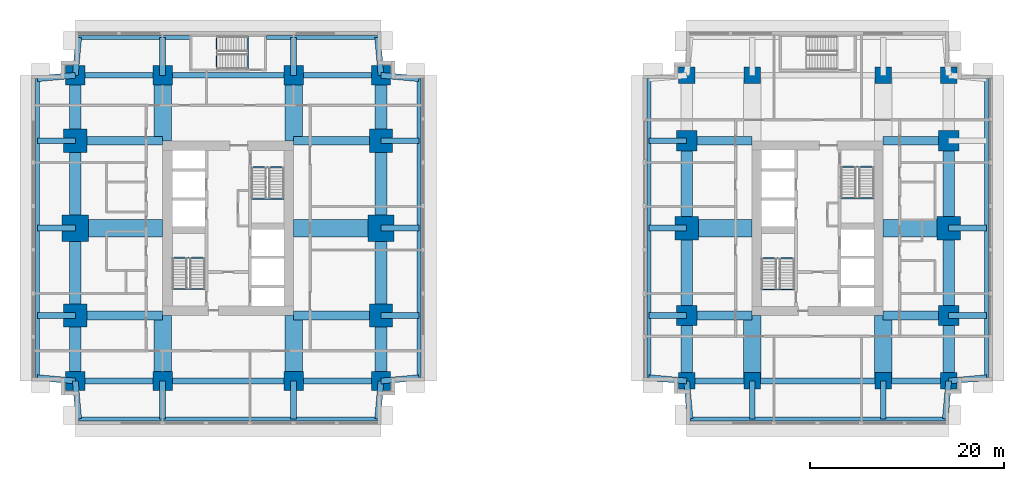
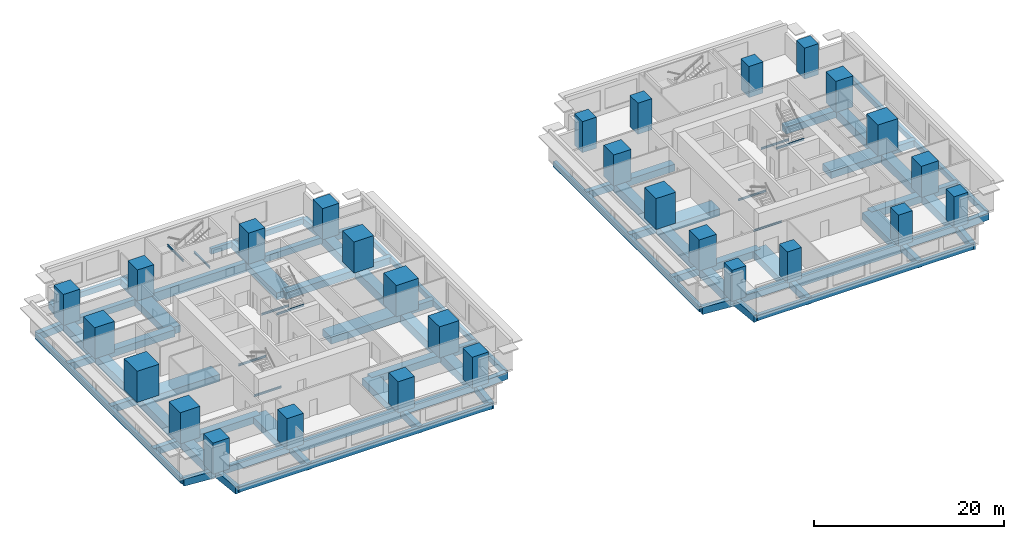
# One storey, part 1 of 11: 88 beams, 28 columns.
"""IFC4 building model written with IfcOpenShell, lengths in metres."""

from ifc_helpers import new_model, si_unit, direction, frame, origin, origin_2d, place, context, subcontext, project, spatial, rectangle, i_section, extrude, material, material_profile, profile_set, type_object, element, save


model = new_model("IFC4")

# Units and contexts
model_context = context("Model", 3, precision=1e-05, world=origin(), true_north=direction((0.0, 1.0)))
body_context = subcontext(model_context, "Body", "Model", "MODEL_VIEW")
ifc_project = project(units=[si_unit("LENGTHUNIT", "METRE"), si_unit("AREAUNIT", "SQUARE_METRE"), si_unit("VOLUMEUNIT", "CUBIC_METRE"), si_unit("PLANEANGLEUNIT", "RADIAN"), si_unit("MASSUNIT", "GRAM", prefix="KILO")], contexts=[model_context])

# Site, building, storey
site_placement = place(None, origin())
site = spatial("IfcSite", under=ifc_project, at=site_placement, CompositionType="ELEMENT")
building_placement = place(site_placement, origin())
building = spatial("IfcBuilding", under=site, at=building_placement, Name="Namib Vertical Campus", CompositionType="ELEMENT")
storey_placement = place(building_placement, frame((0.0, 0.0, 73.0)))
storey = spatial("IfcBuildingStorey", under=building, at=storey_placement, Name="L17", CompositionType="ELEMENT", Elevation=73.0)

# Columns
ifc_material_1 = material(Name="Concrete C60/75", Category="concrete")
ifc_material_profile_1 = material_profile(ifc_material_1, rectangle(XDim=1.699951171875, YDim=1.699951171875, at=origin_2d()))
ifc_profile_set_1 = profile_set([ifc_material_profile_1], Name="Concrete C60/75")
column_type_1 = type_object("IfcColumnType", Name="Column RC 1700x1700", PredefinedType="COLUMN", material=ifc_profile_set_1)
for number, where, z_axis, x_axis, name in (
    (1, (67.5, 4.5, 0.0), (0.0, 0.0, 1.0), (1.0, 0.0, 0.0), "Column C170 L17"),
    (2, (74.25, 4.5, 0.0), (0.0, 0.0, 1.0), (1.0, 0.0, 0.0), "Column C170 L17"),
    (3, (87.75, 4.5, 0.0), (0.0, 0.0, 1.0), (1.0, 0.0, 0.0), "Column C170 L17"),
    (4, (94.5, 4.5, 0.0), (0.0, 0.0, 1.0), (1.0, 0.0, 0.0), "Column C170 L17"),
    (5, (67.5, 36.0, 0.0), (0.0, 0.0, 1.0), (1.0, 0.0, 0.0), "Column C170 L17"),
    (6, (74.25, 36.0, 0.0), (0.0, 0.0, 1.0), (1.0, 0.0, 0.0), "Column C170 L17"),
    (7, (87.75, 36.0, 0.0), (0.0, 0.0, 1.0), (1.0, 0.0, 0.0), "Column C170 L17"),
    (8, (94.5, 36.0, 0.0), (0.0, 0.0, 1.0), (1.0, 0.0, 0.0), "Column C170 L17"),
):
    element("IfcColumn", number, at=place(storey_placement, frame(where, z_axis=z_axis, x_axis=x_axis)), inside=storey, type_object=column_type_1, Name=name, PredefinedType="COLUMN", context=body_context, shape_type="SweptSolid", body=[
        extrude(rectangle(XDim=1.699951171875, YDim=1.699951171875, at=origin_2d()), origin(), (0.0, 0.0, 1.0), 4.0),
    ])
ifc_material_2 = material(Name="Concrete C60/75", Category="concrete")
ifc_material_profile_2 = material_profile(ifc_material_2, rectangle(XDim=2.0, YDim=2.0, at=origin_2d()))
ifc_profile_set_2 = profile_set([ifc_material_profile_2], Name="Concrete C60/75")
column_type_2 = type_object("IfcColumnType", Name="Column RC 2000x2000", PredefinedType="COLUMN", material=ifc_profile_set_2)
for number, where, z_axis, x_axis, name in (
    (9, (4.5, 4.5, 0.0), (0.0, 0.0, 1.0), (1.0, 0.0, 0.0), "Column C200 L17"),
    (10, (13.5, 4.5, 0.0), (0.0, 0.0, 1.0), (1.0, 0.0, 0.0), "Column C200 L17"),
    (11, (27.0, 4.5, 0.0), (0.0, 0.0, 1.0), (1.0, 0.0, 0.0), "Column C200 L17"),
    (12, (36.0, 4.5, 0.0), (0.0, 0.0, 1.0), (1.0, 0.0, 0.0), "Column C200 L17"),
    (13, (4.5, 36.0, 0.0), (0.0, 0.0, 1.0), (1.0, 0.0, 0.0), "Column C200 L17"),
    (14, (13.5, 36.0, 0.0), (0.0, 0.0, 1.0), (1.0, 0.0, 0.0), "Column C200 L17"),
    (15, (27.0, 36.0, 0.0), (0.0, 0.0, 1.0), (1.0, 0.0, 0.0), "Column C200 L17"),
    (16, (36.0, 36.0, 0.0), (0.0, 0.0, 1.0), (1.0, 0.0, 0.0), "Column C200 L17"),
):
    element("IfcColumn", number, at=place(storey_placement, frame(where, z_axis=z_axis, x_axis=x_axis)), inside=storey, type_object=column_type_2, Name=name, PredefinedType="COLUMN", context=body_context, shape_type="SweptSolid", body=[
        extrude(rectangle(XDim=2.0, YDim=2.0, at=origin_2d()), origin(), (0.0, 0.0, 1.0), 4.0),
    ])
ifc_material_3 = material(Name="Concrete C60/75", Category="concrete")
ifc_material_profile_3 = material_profile(ifc_material_3, rectangle(XDim=2.10009765625, YDim=2.10009765625, at=origin_2d()))
ifc_profile_set_3 = profile_set([ifc_material_profile_3], Name="Concrete C60/75")
column_type_3 = type_object("IfcColumnType", Name="Column RC 2100x2100", PredefinedType="COLUMN", material=ifc_profile_set_3)
for number, where, z_axis, x_axis, name in (
    (17, (67.5, 11.25, 0.0), (0.0, 0.0, 1.0), (1.0, 0.0, 0.0), "Column C210 L17"),
    (18, (94.5, 11.25, 0.0), (0.0, 0.0, 1.0), (1.0, 0.0, 0.0), "Column C210 L17"),
    (19, (67.5, 29.25, 0.0), (0.0, 0.0, 1.0), (1.0, 0.0, 0.0), "Column C210 L17"),
    (20, (94.5, 29.25, 0.0), (0.0, 0.0, 1.0), (1.0, 0.0, 0.0), "Column C210 L17"),
):
    element("IfcColumn", number, at=place(storey_placement, frame(where, z_axis=z_axis, x_axis=x_axis)), inside=storey, type_object=column_type_3, Name=name, PredefinedType="COLUMN", context=body_context, shape_type="SweptSolid", body=[
        extrude(rectangle(XDim=2.10009765625, YDim=2.10009765625, at=origin_2d()), origin(), (0.0, 0.0, 1.0), 4.0),
    ])
ifc_material_4 = material(Name="Concrete C60/75", Category="concrete")
ifc_material_profile_4 = material_profile(ifc_material_4, rectangle(XDim=2.39990234375, YDim=2.39990234375, at=origin_2d()))
ifc_profile_set_4 = profile_set([ifc_material_profile_4], Name="Concrete C60/75")
column_type_4 = type_object("IfcColumnType", Name="Column RC 2400x2400", PredefinedType="COLUMN", material=ifc_profile_set_4)
for number, where, z_axis, x_axis, name in (
    (21, (4.5, 11.25, 0.0), (0.0, 0.0, 1.0), (1.0, 0.0, 0.0), "Column C240 L17"),
    (22, (36.0, 11.25, 0.0), (0.0, 0.0, 1.0), (1.0, 0.0, 0.0), "Column C240 L17"),
    (23, (4.5, 29.25, 0.0), (0.0, 0.0, 1.0), (1.0, 0.0, 0.0), "Column C240 L17"),
    (24, (36.0, 29.25, 0.0), (0.0, 0.0, 1.0), (1.0, 0.0, 0.0), "Column C240 L17"),
    (25, (67.5, 20.25, 0.0), (0.0, 0.0, 1.0), (1.0, 0.0, 0.0), "Column C240 L17"),
    (26, (94.5, 20.25, 0.0), (0.0, 0.0, 1.0), (1.0, 0.0, 0.0), "Column C240 L17"),
):
    element("IfcColumn", number, at=place(storey_placement, frame(where, z_axis=z_axis, x_axis=x_axis)), inside=storey, type_object=column_type_4, Name=name, PredefinedType="COLUMN", context=body_context, shape_type="SweptSolid", body=[
        extrude(rectangle(XDim=2.39990234375, YDim=2.39990234375, at=origin_2d()), origin(), (0.0, 0.0, 1.0), 4.0),
    ])
ifc_material_5 = material(Name="Concrete C60/75", Category="concrete")
ifc_material_profile_5 = material_profile(ifc_material_5, rectangle(XDim=2.699951171875, YDim=2.699951171875, at=origin_2d()))
ifc_profile_set_5 = profile_set([ifc_material_profile_5], Name="Concrete C60/75")
column_type_5 = type_object("IfcColumnType", Name="Column RC 2700x2700", PredefinedType="COLUMN", material=ifc_profile_set_5)
for number, where, z_axis, x_axis, name in (
    (27, (4.5, 20.25, 0.0), (0.0, 0.0, 1.0), (1.0, 0.0, 0.0), "Column C270 L17"),
    (28, (36.0, 20.25, 0.0), (0.0, 0.0, 1.0), (1.0, 0.0, 0.0), "Column C270 L17"),
):
    element("IfcColumn", number, at=place(storey_placement, frame(where, z_axis=z_axis, x_axis=x_axis)), inside=storey, type_object=column_type_5, Name=name, PredefinedType="COLUMN", context=body_context, shape_type="SweptSolid", body=[
        extrude(rectangle(XDim=2.699951171875, YDim=2.699951171875, at=origin_2d()), origin(), (0.0, 0.0, 1.0), 4.0),
    ])

# Beams
ifc_material_6 = material(Name="Concrete C40/50", Category="concrete")
ifc_material_profile_6 = material_profile(ifc_material_6, rectangle(XDim=0.60009765625, YDim=0.89990234375, at=origin_2d()))
ifc_profile_set_6 = profile_set([ifc_material_profile_6], Name="Concrete C40/50")
beam_type_1 = type_object("IfcBeamType", Name="Cantilever girder RC 600x900", PredefinedType="BEAM", material=ifc_profile_set_6)
beam_1_placement = place(storey_placement, frame((4.5, 4.5, -0.699951171875), z_axis=(0.089411326146, -0.995994786511, 0.0), x_axis=(0.995994786511, 0.089411326146, 0.0)))
element("IfcBeam", 29, at=beam_1_placement, inside=storey, type_object=beam_type_1, Name="Beam B3 L17", PredefinedType="BEAM", context=body_context, shape_type="SweptSolid", body=[
    extrude(rectangle(XDim=0.60009765625, YDim=0.89990234375, at=origin_2d()), origin(), (0.0, 0.0, 1.0), 3.91552734375),
])
for number, where, z_axis, x_axis, name in (
    (30, (13.5, 4.5, -0.699951171875), (0.0, -1.0, 0.0), (1.0, 0.0, 0.0), "Beam B3 L17"),
    (31, (27.0, 4.5, -0.699951171875), (0.0, -1.0, 0.0), (1.0, 0.0, 0.0), "Beam B3 L17"),
):
    element("IfcBeam", number, at=place(storey_placement, frame(where, z_axis=z_axis, x_axis=x_axis)), inside=storey, type_object=beam_type_1, Name=name, PredefinedType="BEAM", context=body_context, shape_type="SweptSolid", body=[
        extrude(rectangle(XDim=0.60009765625, YDim=0.89990234375, at=origin_2d()), origin(), (0.0, 0.0, 1.0), 3.89990234375),
    ])
for number, where, z_axis, x_axis, name in (
    (32, (36.0, 4.5, -0.699951171875), (-0.089411326146, -0.995994786511, 0.0), (0.995994786511, -0.089411326146, 0.0), "Beam B3 L17"),
    (33, (4.5, 36.0, -0.699951171875), (0.089411326146, 0.995994786511, 0.0), (-0.995994786511, 0.089411326146, 0.0), "Beam B3 L17"),
):
    element("IfcBeam", number, at=place(storey_placement, frame(where, z_axis=z_axis, x_axis=x_axis)), inside=storey, type_object=beam_type_1, Name=name, PredefinedType="BEAM", context=body_context, shape_type="SweptSolid", body=[
        extrude(rectangle(XDim=0.60009765625, YDim=0.89990234375, at=origin_2d()), origin(), (0.0, 0.0, 1.0), 3.91552734375),
    ])
for number, where, z_axis, x_axis, name in (
    (34, (13.5, 36.0, -0.699951171875), (0.0, 1.0, 0.0), (-1.0, 0.0, 0.0), "Beam B3 L17"),
    (35, (27.0, 36.0, -0.699951171875), (0.0, 1.0, 0.0), (-1.0, 0.0, 0.0), "Beam B3 L17"),
):
    element("IfcBeam", number, at=place(storey_placement, frame(where, z_axis=z_axis, x_axis=x_axis)), inside=storey, type_object=beam_type_1, Name=name, PredefinedType="BEAM", context=body_context, shape_type="SweptSolid", body=[
        extrude(rectangle(XDim=0.60009765625, YDim=0.89990234375, at=origin_2d()), origin(), (0.0, 0.0, 1.0), 3.89990234375),
    ])
for number, where, z_axis, x_axis, name in (
    (36, (36.0, 36.0, -0.699951171875), (-0.089411326146, 0.995994786511, 0.0), (-0.995994786511, -0.089411326146, 0.0), "Beam B3 L17"),
    (37, (4.5, 4.5, -0.699951171875), (-0.995994786511, 0.089411326146, 0.0), (-0.089411326146, -0.995994786511, 0.0), "Beam B3 L17"),
):
    element("IfcBeam", number, at=place(storey_placement, frame(where, z_axis=z_axis, x_axis=x_axis)), inside=storey, type_object=beam_type_1, Name=name, PredefinedType="BEAM", context=body_context, shape_type="SweptSolid", body=[
        extrude(rectangle(XDim=0.60009765625, YDim=0.89990234375, at=origin_2d()), origin(), (0.0, 0.0, 1.0), 3.91552734375),
    ])
for number, where, z_axis, x_axis, name in (
    (38, (4.5, 11.25, -0.699951171875), (-1.0, 0.0, 0.0), (0.0, -1.0, 0.0), "Beam B3 L17"),
    (39, (4.5, 20.25, -0.699951171875), (-1.0, 0.0, 0.0), (0.0, -1.0, 0.0), "Beam B3 L17"),
    (40, (4.5, 29.25, -0.699951171875), (-1.0, 0.0, 0.0), (0.0, -1.0, 0.0), "Beam B3 L17"),
):
    element("IfcBeam", number, at=place(storey_placement, frame(where, z_axis=z_axis, x_axis=x_axis)), inside=storey, type_object=beam_type_1, Name=name, PredefinedType="BEAM", context=body_context, shape_type="SweptSolid", body=[
        extrude(rectangle(XDim=0.60009765625, YDim=0.89990234375, at=origin_2d()), origin(), (0.0, 0.0, 1.0), 3.89990234375),
    ])
for number, where, z_axis, x_axis, name in (
    (41, (4.5, 36.0, -0.699951171875), (-0.995994786511, -0.089411326146, 0.0), (0.089411326146, -0.995994786511, 0.0), "Beam B3 L17"),
    (42, (36.0, 4.5, -0.699951171875), (0.995994786511, 0.089411326146, 0.0), (-0.089411326146, 0.995994786511, 0.0), "Beam B3 L17"),
):
    element("IfcBeam", number, at=place(storey_placement, frame(where, z_axis=z_axis, x_axis=x_axis)), inside=storey, type_object=beam_type_1, Name=name, PredefinedType="BEAM", context=body_context, shape_type="SweptSolid", body=[
        extrude(rectangle(XDim=0.60009765625, YDim=0.89990234375, at=origin_2d()), origin(), (0.0, 0.0, 1.0), 3.91552734375),
    ])
for number, where, z_axis, x_axis, name in (
    (43, (36.0, 11.25, -0.699951171875), (1.0, 0.0, 0.0), (0.0, 1.0, 0.0), "Beam B3 L17"),
    (44, (36.0, 20.25, -0.699951171875), (1.0, 0.0, 0.0), (0.0, 1.0, 0.0), "Beam B3 L17"),
    (45, (36.0, 29.25, -0.699951171875), (1.0, 0.0, 0.0), (0.0, 1.0, 0.0), "Beam B3 L17"),
):
    element("IfcBeam", number, at=place(storey_placement, frame(where, z_axis=z_axis, x_axis=x_axis)), inside=storey, type_object=beam_type_1, Name=name, PredefinedType="BEAM", context=body_context, shape_type="SweptSolid", body=[
        extrude(rectangle(XDim=0.60009765625, YDim=0.89990234375, at=origin_2d()), origin(), (0.0, 0.0, 1.0), 3.89990234375),
    ])
for number, where, z_axis, x_axis, name in (
    (46, (36.0, 36.0, -0.699951171875), (0.995994786511, -0.089411326146, 0.0), (0.089411326146, 0.995994786511, 0.0), "Beam B3 L17"),
    (47, (67.5, 4.5, -0.699951171875), (0.089411326146, -0.995994786511, 0.0), (0.995994786511, 0.089411326146, 0.0), "Beam B3 L17"),
):
    element("IfcBeam", number, at=place(storey_placement, frame(where, z_axis=z_axis, x_axis=x_axis)), inside=storey, type_object=beam_type_1, Name=name, PredefinedType="BEAM", context=body_context, shape_type="SweptSolid", body=[
        extrude(rectangle(XDim=0.60009765625, YDim=0.89990234375, at=origin_2d()), origin(), (0.0, 0.0, 1.0), 3.91552734375),
    ])
for number, where, z_axis, x_axis, name in (
    (48, (74.25, 4.5, -0.699951171875), (0.0, -1.0, 0.0), (1.0, 0.0, 0.0), "Beam B3 L17"),
    (49, (87.75, 4.5, -0.699951171875), (0.0, -1.0, 0.0), (1.0, 0.0, 0.0), "Beam B3 L17"),
):
    element("IfcBeam", number, at=place(storey_placement, frame(where, z_axis=z_axis, x_axis=x_axis)), inside=storey, type_object=beam_type_1, Name=name, PredefinedType="BEAM", context=body_context, shape_type="SweptSolid", body=[
        extrude(rectangle(XDim=0.60009765625, YDim=0.89990234375, at=origin_2d()), origin(), (0.0, 0.0, 1.0), 3.89990234375),
    ])
for number, where, z_axis, x_axis, name in (
    (50, (94.5, 4.5, -0.699951171875), (-0.089411326146, -0.995994786511, 0.0), (0.995994786511, -0.089411326146, 0.0), "Beam B3 L17"),
    (51, (67.5, 4.5, -0.699951171875), (-0.995994786511, 0.089411326146, 0.0), (-0.089411326146, -0.995994786511, 0.0), "Beam B3 L17"),
):
    element("IfcBeam", number, at=place(storey_placement, frame(where, z_axis=z_axis, x_axis=x_axis)), inside=storey, type_object=beam_type_1, Name=name, PredefinedType="BEAM", context=body_context, shape_type="SweptSolid", body=[
        extrude(rectangle(XDim=0.60009765625, YDim=0.89990234375, at=origin_2d()), origin(), (0.0, 0.0, 1.0), 3.91552734375),
    ])
for number, where, z_axis, x_axis, name in (
    (52, (67.5, 11.25, -0.699951171875), (-1.0, 0.0, 0.0), (0.0, -1.0, 0.0), "Beam B3 L17"),
    (53, (67.5, 20.25, -0.699951171875), (-1.0, 0.0, 0.0), (0.0, -1.0, 0.0), "Beam B3 L17"),
    (54, (67.5, 29.25, -0.699951171875), (-1.0, 0.0, 0.0), (0.0, -1.0, 0.0), "Beam B3 L17"),
):
    element("IfcBeam", number, at=place(storey_placement, frame(where, z_axis=z_axis, x_axis=x_axis)), inside=storey, type_object=beam_type_1, Name=name, PredefinedType="BEAM", context=body_context, shape_type="SweptSolid", body=[
        extrude(rectangle(XDim=0.60009765625, YDim=0.89990234375, at=origin_2d()), origin(), (0.0, 0.0, 1.0), 3.89990234375),
    ])
beam_2_placement = place(storey_placement, frame((94.5, 4.5, -0.699951171875), z_axis=(0.995994786511, 0.089411326146, 0.0), x_axis=(-0.089411326146, 0.995994786511, 0.0)))
element("IfcBeam", 55, at=beam_2_placement, inside=storey, type_object=beam_type_1, Name="Beam B3 L17", PredefinedType="BEAM", context=body_context, shape_type="SweptSolid", body=[
    extrude(rectangle(XDim=0.60009765625, YDim=0.89990234375, at=origin_2d()), origin(), (0.0, 0.0, 1.0), 3.91552734375),
])
for number, where, z_axis, x_axis, name in (
    (56, (94.5, 11.25, -0.699951171875), (1.0, 0.0, 0.0), (0.0, 1.0, 0.0), "Beam B3 L17"),
    (57, (94.5, 20.25, -0.699951171875), (1.0, 0.0, 0.0), (0.0, 1.0, 0.0), "Beam B3 L17"),
):
    element("IfcBeam", number, at=place(storey_placement, frame(where, z_axis=z_axis, x_axis=x_axis)), inside=storey, type_object=beam_type_1, Name=name, PredefinedType="BEAM", context=body_context, shape_type="SweptSolid", body=[
        extrude(rectangle(XDim=0.60009765625, YDim=0.89990234375, at=origin_2d()), origin(), (0.0, 0.0, 1.0), 3.89990234375),
    ])
ifc_material_7 = material(Name="Concrete C40/50", Category="concrete")
ifc_material_profile_7 = material_profile(ifc_material_7, rectangle(XDim=0.39990234375, YDim=0.699951171875, at=origin_2d()))
ifc_profile_set_7 = profile_set([ifc_material_profile_7], Name="Concrete C40/50")
beam_type_2 = type_object("IfcBeamType", Name="Edge beam RC 400x700", PredefinedType="SPANDREL", material=ifc_profile_set_7)
beam_3_placement = place(storey_placement, frame((4.85009765625, 0.60009765625, -0.60009765625), z_axis=(1.0, 0.0, 0.0), x_axis=(0.0, 1.0, 0.0)))
element("IfcBeam", 58, at=beam_3_placement, inside=storey, type_object=beam_type_2, Name="Beam B4 L17", PredefinedType="SPANDREL", context=body_context, shape_type="SweptSolid", body=[
    extrude(rectangle(XDim=0.39990234375, YDim=0.699951171875, at=origin_2d()), origin(), (0.0, 0.0, 1.0), 30.7998046875),
])
for number, where, z_axis, x_axis, name in (
    (59, (4.85009765625, 39.89990234375, -0.60009765625), (1.0, 0.0, 0.0), (0.0, 1.0, 0.0), "Beam B4 L17"),
    (60, (24.199951171875, 39.89990234375, -0.60009765625), (1.0, 0.0, 0.0), (0.0, 1.0, 0.0), "Beam B4 L17"),
):
    element("IfcBeam", number, at=place(storey_placement, frame(where, z_axis=z_axis, x_axis=x_axis)), inside=storey, type_object=beam_type_2, Name=name, PredefinedType="SPANDREL", context=body_context, shape_type="SweptSolid", body=[
        extrude(rectangle(XDim=0.39990234375, YDim=0.699951171875, at=origin_2d()), origin(), (0.0, 0.0, 1.0), 11.449951171875),
    ])
for number, where, z_axis, x_axis, name in (
    (61, (0.60009765625, 4.85009765625, -0.60009765625), (0.0, 1.0, 0.0), (-1.0, 0.0, 0.0), "Beam B4 L17"),
    (62, (39.89990234375, 4.85009765625, -0.60009765625), (0.0, 1.0, 0.0), (-1.0, 0.0, 0.0), "Beam B4 L17"),
):
    element("IfcBeam", number, at=place(storey_placement, frame(where, z_axis=z_axis, x_axis=x_axis)), inside=storey, type_object=beam_type_2, Name=name, PredefinedType="SPANDREL", context=body_context, shape_type="SweptSolid", body=[
        extrude(rectangle(XDim=0.39990234375, YDim=0.699951171875, at=origin_2d()), origin(), (0.0, 0.0, 1.0), 30.7998046875),
    ])
beam_4_placement = place(storey_placement, frame((67.85009765625, 0.60009765625, -0.60009765625), z_axis=(1.0, 0.0, 0.0), x_axis=(0.0, 1.0, 0.0)))
element("IfcBeam", 63, at=beam_4_placement, inside=storey, type_object=beam_type_2, Name="Beam B4 L17", PredefinedType="SPANDREL", context=body_context, shape_type="SweptSolid", body=[
    extrude(rectangle(XDim=0.39990234375, YDim=0.699951171875, at=origin_2d()), origin(), (0.0, 0.0, 1.0), 26.2998046875),
])
for number, where, z_axis, x_axis, name in (
    (64, (63.60009765625, 4.85009765625, -0.60009765625), (0.0, 1.0, 0.0), (-1.0, 0.0, 0.0), "Beam B4 L17"),
    (65, (98.39990234375, 4.85009765625, -0.60009765625), (0.0, 1.0, 0.0), (-1.0, 0.0, 0.0), "Beam B4 L17"),
):
    element("IfcBeam", number, at=place(storey_placement, frame(where, z_axis=z_axis, x_axis=x_axis)), inside=storey, type_object=beam_type_2, Name=name, PredefinedType="SPANDREL", context=body_context, shape_type="SweptSolid", body=[
        extrude(rectangle(XDim=0.39990234375, YDim=0.699951171875, at=origin_2d()), origin(), (0.0, 0.0, 1.0), 30.7998046875),
    ])
ifc_material_8 = material(Name="Concrete C40/50", Category="concrete")
ifc_material_profile_8 = material_profile(ifc_material_8, rectangle(XDim=0.89990234375, YDim=0.89990234375, at=origin_2d()))
ifc_profile_set_8 = profile_set([ifc_material_profile_8], Name="Concrete C40/50")
beam_type_3 = type_object("IfcBeamType", Name="Face girder RC 900x900", PredefinedType="BEAM", material=ifc_profile_set_8)
for number, where, z_axis, x_axis, name in (
    (66, (4.5, 11.25, -0.699951171875), (1.0, 0.0, 0.0), (0.0, 1.0, 0.0), "Beam B10 L17"),
    (67, (36.0, 11.25, -0.699951171875), (-1.0, 0.0, 0.0), (0.0, -1.0, 0.0), "Beam B10 L17"),
    (68, (4.5, 29.25, -0.699951171875), (1.0, 0.0, 0.0), (0.0, 1.0, 0.0), "Beam B10 L17"),
    (69, (36.0, 29.25, -0.699951171875), (-1.0, 0.0, 0.0), (0.0, -1.0, 0.0), "Beam B10 L17"),
):
    element("IfcBeam", number, at=place(storey_placement, frame(where, z_axis=z_axis, x_axis=x_axis)), inside=storey, type_object=beam_type_3, Name=name, PredefinedType="BEAM", context=body_context, shape_type="SweptSolid", body=[
        extrude(rectangle(XDim=0.89990234375, YDim=0.89990234375, at=origin_2d()), origin(), (0.0, 0.0, 1.0), 9.0),
    ])
for number, where, z_axis, x_axis, name in (
    (70, (67.5, 11.25, -0.699951171875), (1.0, 0.0, 0.0), (0.0, 1.0, 0.0), "Beam B10 L17"),
    (71, (94.5, 11.25, -0.699951171875), (-1.0, 0.0, 0.0), (0.0, -1.0, 0.0), "Beam B10 L17"),
    (72, (67.5, 29.25, -0.699951171875), (1.0, 0.0, 0.0), (0.0, 1.0, 0.0), "Beam B10 L17"),
    (73, (94.5, 29.25, -0.699951171875), (-1.0, 0.0, 0.0), (0.0, -1.0, 0.0), "Beam B10 L17"),
):
    element("IfcBeam", number, at=place(storey_placement, frame(where, z_axis=z_axis, x_axis=x_axis)), inside=storey, type_object=beam_type_3, Name=name, PredefinedType="BEAM", context=body_context, shape_type="SweptSolid", body=[
        extrude(rectangle(XDim=0.89990234375, YDim=0.89990234375, at=origin_2d()), origin(), (0.0, 0.0, 1.0), 6.75),
    ])
ifc_material_9 = material(Name="Concrete C40/50", Category="concrete")
ifc_material_profile_9 = material_profile(ifc_material_9, rectangle(XDim=1.199951171875, YDim=1.10009765625, at=origin_2d()))
ifc_profile_set_9 = profile_set([ifc_material_profile_9], Name="Concrete C40/50")
beam_type_4 = type_object("IfcBeamType", Name="Face ring beam RC 1200x1100", PredefinedType="BEAM", material=ifc_profile_set_9)
beam_5_placement = place(storey_placement, frame((4.5, 4.5, -0.800048828125), z_axis=(0.0, 1.0, 0.0), x_axis=(-1.0, 0.0, 0.0)))
element("IfcBeam", 74, at=beam_5_placement, inside=storey, type_object=beam_type_4, Name="Beam B11 L17", PredefinedType="BEAM", context=body_context, shape_type="SweptSolid", body=[
    extrude(rectangle(XDim=1.199951171875, YDim=1.10009765625, at=origin_2d()), origin(), (0.0, 0.0, 1.0), 6.75),
])
for number, where, z_axis, x_axis, name in (
    (75, (4.5, 11.25, -0.800048828125), (0.0, 1.0, 0.0), (-1.0, 0.0, 0.0), "Beam B11 L17"),
    (76, (4.5, 20.25, -0.800048828125), (0.0, 1.0, 0.0), (-1.0, 0.0, 0.0), "Beam B11 L17"),
):
    element("IfcBeam", number, at=place(storey_placement, frame(where, z_axis=z_axis, x_axis=x_axis)), inside=storey, type_object=beam_type_4, Name=name, PredefinedType="BEAM", context=body_context, shape_type="SweptSolid", body=[
        extrude(rectangle(XDim=1.199951171875, YDim=1.10009765625, at=origin_2d()), origin(), (0.0, 0.0, 1.0), 9.0),
    ])
for number, where, z_axis, x_axis, name in (
    (77, (4.5, 29.25, -0.800048828125), (0.0, 1.0, 0.0), (-1.0, 0.0, 0.0), "Beam B11 L17"),
    (78, (36.0, 4.5, -0.800048828125), (0.0, 1.0, 0.0), (-1.0, 0.0, 0.0), "Beam B11 L17"),
):
    element("IfcBeam", number, at=place(storey_placement, frame(where, z_axis=z_axis, x_axis=x_axis)), inside=storey, type_object=beam_type_4, Name=name, PredefinedType="BEAM", context=body_context, shape_type="SweptSolid", body=[
        extrude(rectangle(XDim=1.199951171875, YDim=1.10009765625, at=origin_2d()), origin(), (0.0, 0.0, 1.0), 6.75),
    ])
for number, where, z_axis, x_axis, name in (
    (79, (36.0, 11.25, -0.800048828125), (0.0, 1.0, 0.0), (-1.0, 0.0, 0.0), "Beam B11 L17"),
    (80, (36.0, 20.25, -0.800048828125), (0.0, 1.0, 0.0), (-1.0, 0.0, 0.0), "Beam B11 L17"),
):
    element("IfcBeam", number, at=place(storey_placement, frame(where, z_axis=z_axis, x_axis=x_axis)), inside=storey, type_object=beam_type_4, Name=name, PredefinedType="BEAM", context=body_context, shape_type="SweptSolid", body=[
        extrude(rectangle(XDim=1.199951171875, YDim=1.10009765625, at=origin_2d()), origin(), (0.0, 0.0, 1.0), 9.0),
    ])
for number, where, z_axis, x_axis, name in (
    (81, (36.0, 29.25, -0.800048828125), (0.0, 1.0, 0.0), (-1.0, 0.0, 0.0), "Beam B11 L17"),
    (82, (67.5, 4.5, -0.800048828125), (0.0, 1.0, 0.0), (-1.0, 0.0, 0.0), "Beam B11 L17"),
):
    element("IfcBeam", number, at=place(storey_placement, frame(where, z_axis=z_axis, x_axis=x_axis)), inside=storey, type_object=beam_type_4, Name=name, PredefinedType="BEAM", context=body_context, shape_type="SweptSolid", body=[
        extrude(rectangle(XDim=1.199951171875, YDim=1.10009765625, at=origin_2d()), origin(), (0.0, 0.0, 1.0), 6.75),
    ])
for number, where, z_axis, x_axis, name in (
    (83, (67.5, 11.25, -0.800048828125), (0.0, 1.0, 0.0), (-1.0, 0.0, 0.0), "Beam B11 L17"),
    (84, (67.5, 20.25, -0.800048828125), (0.0, 1.0, 0.0), (-1.0, 0.0, 0.0), "Beam B11 L17"),
):
    element("IfcBeam", number, at=place(storey_placement, frame(where, z_axis=z_axis, x_axis=x_axis)), inside=storey, type_object=beam_type_4, Name=name, PredefinedType="BEAM", context=body_context, shape_type="SweptSolid", body=[
        extrude(rectangle(XDim=1.199951171875, YDim=1.10009765625, at=origin_2d()), origin(), (0.0, 0.0, 1.0), 9.0),
    ])
beam_6_placement = place(storey_placement, frame((94.5, 4.5, -0.800048828125), z_axis=(0.0, 1.0, 0.0), x_axis=(-1.0, 0.0, 0.0)))
element("IfcBeam", 85, at=beam_6_placement, inside=storey, type_object=beam_type_4, Name="Beam B11 L17", PredefinedType="BEAM", context=body_context, shape_type="SweptSolid", body=[
    extrude(rectangle(XDim=1.199951171875, YDim=1.10009765625, at=origin_2d()), origin(), (0.0, 0.0, 1.0), 6.75),
])
for number, where, z_axis, x_axis, name in (
    (86, (94.5, 11.25, -0.800048828125), (0.0, 1.0, 0.0), (-1.0, 0.0, 0.0), "Beam B11 L17"),
    (87, (94.5, 20.25, -0.800048828125), (0.0, 1.0, 0.0), (-1.0, 0.0, 0.0), "Beam B11 L17"),
):
    element("IfcBeam", number, at=place(storey_placement, frame(where, z_axis=z_axis, x_axis=x_axis)), inside=storey, type_object=beam_type_4, Name=name, PredefinedType="BEAM", context=body_context, shape_type="SweptSolid", body=[
        extrude(rectangle(XDim=1.199951171875, YDim=1.10009765625, at=origin_2d()), origin(), (0.0, 0.0, 1.0), 9.0),
    ])
ifc_material_10 = material(Name="Steel S355JR", Category="steel")
ifc_material_profile_10 = material_profile(ifc_material_10, i_section(OverallWidth=0.14599609375, OverallDepth=0.25146484375, WebThickness=0.006103515625, FlangeThickness=0.008544921875, FilletRadius=0.007568359375, at=origin_2d()))
ifc_profile_set_10 = profile_set([ifc_material_profile_10], Name="Steel S355JR")
beam_type_5 = type_object("IfcBeamType", Name="Landing trimmer UB 254x146x31", PredefinedType="BEAM", material=ifc_profile_set_10)
for number, where, z_axis, x_axis, name in (
    (88, (14.5, 13.97705078125, -0.125732421875), (1.0, 0.0, 0.0), (0.0, 1.0, 0.0), "Landing trimmer LT1 A-S1 L17 1"),
    (89, (14.5, 17.203125, 1.874267578125), (1.0, 0.0, 0.0), (0.0, 1.0, 0.0), "Landing trimmer LT1 A-S1 L17 2"),
    (90, (22.64990234375, 26.52294921875, -0.125732421875), (1.0, 0.0, 0.0), (0.0, 1.0, 0.0), "Landing trimmer LT1 A-S2 L17 1"),
    (91, (22.64990234375, 23.296875, 1.874267578125), (1.0, 0.0, 0.0), (0.0, 1.0, 0.0), "Landing trimmer LT1 A-S2 L17 2"),
):
    element("IfcBeam", number, at=place(storey_placement, frame(where, z_axis=z_axis, x_axis=x_axis)), inside=storey, type_object=beam_type_5, Name=name, PredefinedType="BEAM", context=body_context, shape_type="SweptSolid", body=[
        extrude(i_section(OverallWidth=0.14599609375, OverallDepth=0.25146484375, WebThickness=0.006103515625, FlangeThickness=0.008544921875, FilletRadius=0.007568359375, at=origin_2d()), origin(), (0.0, 0.0, 1.0), 3.35009765625),
    ])
for number, where, z_axis, x_axis, name in (
    (92, (75.199951171875, 13.927001953125, -0.125732421875), (1.0, 0.0, 0.0), (0.0, 1.0, 0.0), "Landing trimmer LT1 B-S1 L17 1"),
    (93, (75.199951171875, 17.153076171875, 1.874267578125), (1.0, 0.0, 0.0), (0.0, 1.0, 0.0), "Landing trimmer LT1 B-S1 L17 2"),
    (94, (83.39990234375, 26.572998046875, -0.125732421875), (1.0, 0.0, 0.0), (0.0, 1.0, 0.0), "Landing trimmer LT1 B-S2 L17 1"),
    (95, (83.39990234375, 23.346923828125, 1.874267578125), (1.0, 0.0, 0.0), (0.0, 1.0, 0.0), "Landing trimmer LT1 B-S2 L17 2"),
):
    element("IfcBeam", number, at=place(storey_placement, frame(where, z_axis=z_axis, x_axis=x_axis)), inside=storey, type_object=beam_type_5, Name=name, PredefinedType="BEAM", context=body_context, shape_type="SweptSolid", body=[
        extrude(i_section(OverallWidth=0.14599609375, OverallDepth=0.25146484375, WebThickness=0.006103515625, FlangeThickness=0.008544921875, FilletRadius=0.007568359375, at=origin_2d()), origin(), (0.0, 0.0, 1.0), 3.400146484375),
    ])
for number, where, z_axis, x_axis, name in (
    (96, (22.27294921875, 36.64990234375, -0.125732421875), (0.0, 1.0, 0.0), (-1.0, 0.0, 0.0), "Landing trimmer LT1 A-S3 L17 1"),
    (97, (19.046875, 36.64990234375, 1.874267578125), (0.0, 1.0, 0.0), (-1.0, 0.0, 0.0), "Landing trimmer LT1 A-S3 L17 2"),
):
    element("IfcBeam", number, at=place(storey_placement, frame(where, z_axis=z_axis, x_axis=x_axis)), inside=storey, type_object=beam_type_5, Name=name, PredefinedType="BEAM", context=body_context, shape_type="SweptSolid", body=[
        extrude(i_section(OverallWidth=0.14599609375, OverallDepth=0.25146484375, WebThickness=0.006103515625, FlangeThickness=0.008544921875, FilletRadius=0.007568359375, at=origin_2d()), origin(), (0.0, 0.0, 1.0), 3.35009765625),
    ])
ifc_material_11 = material(Name="Concrete C40/50", Category="concrete")
ifc_material_profile_11 = material_profile(ifc_material_11, rectangle(XDim=0.60009765625, YDim=1.199951171875, at=origin_2d()))
ifc_profile_set_11 = profile_set([ifc_material_profile_11], Name="Concrete C40/50")
beam_type_6 = type_object("IfcBeamType", Name="Long-span ring beam RC 600x1200", PredefinedType="BEAM", material=ifc_profile_set_11)
for number, where, z_axis, x_axis, name in (
    (98, (13.5, 4.5, -0.85009765625), (1.0, 0.0, 0.0), (0.0, 1.0, 0.0), "Beam B9 L17"),
    (99, (13.5, 36.0, -0.85009765625), (1.0, 0.0, 0.0), (0.0, 1.0, 0.0), "Beam B9 L17"),
    (100, (74.25, 4.5, -0.85009765625), (1.0, 0.0, 0.0), (0.0, 1.0, 0.0), "Beam B9 L17"),
):
    element("IfcBeam", number, at=place(storey_placement, frame(where, z_axis=z_axis, x_axis=x_axis)), inside=storey, type_object=beam_type_6, Name=name, PredefinedType="BEAM", context=body_context, shape_type="SweptSolid", body=[
        extrude(rectangle(XDim=0.60009765625, YDim=1.199951171875, at=origin_2d()), origin(), (0.0, 0.0, 1.0), 13.5),
    ])
ifc_material_12 = material(Name="Concrete C40/50", Category="concrete")
ifc_material_profile_12 = material_profile(ifc_material_12, rectangle(XDim=1.800048828125, YDim=0.89990234375, at=origin_2d()))
ifc_profile_set_12 = profile_set([ifc_material_profile_12], Name="Concrete C40/50")
beam_type_7 = type_object("IfcBeamType", Name="Outrigger line girder RC 1800x900", PredefinedType="BEAM", material=ifc_profile_set_12)
for number, where, z_axis, x_axis, name in (
    (101, (13.5, 4.5, -0.699951171875), (0.0, 1.0, 0.0), (-1.0, 0.0, 0.0), "Beam B12 L17"),
    (102, (13.5, 36.0, -0.699951171875), (0.0, -1.0, 0.0), (1.0, 0.0, 0.0), "Beam B12 L17"),
    (103, (27.0, 4.5, -0.699951171875), (0.0, 1.0, 0.0), (-1.0, 0.0, 0.0), "Beam B12 L17"),
    (104, (27.0, 36.0, -0.699951171875), (0.0, -1.0, 0.0), (1.0, 0.0, 0.0), "Beam B12 L17"),
):
    element("IfcBeam", number, at=place(storey_placement, frame(where, z_axis=z_axis, x_axis=x_axis)), inside=storey, type_object=beam_type_7, Name=name, PredefinedType="BEAM", context=body_context, shape_type="SweptSolid", body=[
        extrude(rectangle(XDim=1.800048828125, YDim=0.89990234375, at=origin_2d()), origin(), (0.0, 0.0, 1.0), 6.75),
    ])
for number, where, z_axis, x_axis, name in (
    (105, (4.5, 20.25, -0.699951171875), (1.0, 0.0, 0.0), (0.0, 1.0, 0.0), "Beam B12 L17"),
    (106, (36.0, 20.25, -0.699951171875), (-1.0, 0.0, 0.0), (0.0, -1.0, 0.0), "Beam B12 L17"),
):
    element("IfcBeam", number, at=place(storey_placement, frame(where, z_axis=z_axis, x_axis=x_axis)), inside=storey, type_object=beam_type_7, Name=name, PredefinedType="BEAM", context=body_context, shape_type="SweptSolid", body=[
        extrude(rectangle(XDim=1.800048828125, YDim=0.89990234375, at=origin_2d()), origin(), (0.0, 0.0, 1.0), 9.0),
    ])
for number, where, z_axis, x_axis, name in (
    (107, (74.25, 4.5, -0.699951171875), (0.0, 1.0, 0.0), (-1.0, 0.0, 0.0), "Beam B12 L17"),
    (108, (87.75, 4.5, -0.699951171875), (0.0, 1.0, 0.0), (-1.0, 0.0, 0.0), "Beam B12 L17"),
    (109, (67.5, 20.25, -0.699951171875), (1.0, 0.0, 0.0), (0.0, 1.0, 0.0), "Beam B12 L17"),
    (110, (94.5, 20.25, -0.699951171875), (-1.0, 0.0, 0.0), (0.0, -1.0, 0.0), "Beam B12 L17"),
):
    element("IfcBeam", number, at=place(storey_placement, frame(where, z_axis=z_axis, x_axis=x_axis)), inside=storey, type_object=beam_type_7, Name=name, PredefinedType="BEAM", context=body_context, shape_type="SweptSolid", body=[
        extrude(rectangle(XDim=1.800048828125, YDim=0.89990234375, at=origin_2d()), origin(), (0.0, 0.0, 1.0), 6.75),
    ])
ifc_material_13 = material(Name="Concrete C40/50", Category="concrete")
ifc_material_profile_13 = material_profile(ifc_material_13, rectangle(XDim=0.60009765625, YDim=0.800048828125, at=origin_2d()))
ifc_profile_set_13 = profile_set([ifc_material_profile_13], Name="Concrete C40/50")
beam_type_8 = type_object("IfcBeamType", Name="Ring beam RC 600x800", PredefinedType="BEAM", material=ifc_profile_set_13)
for number, where, z_axis, x_axis, name in (
    (111, (4.5, 4.5, -0.64990234375), (1.0, 0.0, 0.0), (0.0, 1.0, 0.0), "Beam B1 L17"),
    (112, (27.0, 4.5, -0.64990234375), (1.0, 0.0, 0.0), (0.0, 1.0, 0.0), "Beam B1 L17"),
    (113, (4.5, 36.0, -0.64990234375), (1.0, 0.0, 0.0), (0.0, 1.0, 0.0), "Beam B1 L17"),
    (114, (27.0, 36.0, -0.64990234375), (1.0, 0.0, 0.0), (0.0, 1.0, 0.0), "Beam B1 L17"),
):
    element("IfcBeam", number, at=place(storey_placement, frame(where, z_axis=z_axis, x_axis=x_axis)), inside=storey, type_object=beam_type_8, Name=name, PredefinedType="BEAM", context=body_context, shape_type="SweptSolid", body=[
        extrude(rectangle(XDim=0.60009765625, YDim=0.800048828125, at=origin_2d()), origin(), (0.0, 0.0, 1.0), 9.0),
    ])
for number, where, z_axis, x_axis, name in (
    (115, (67.5, 4.5, -0.64990234375), (1.0, 0.0, 0.0), (0.0, 1.0, 0.0), "Beam B1 L17"),
    (116, (87.75, 4.5, -0.64990234375), (1.0, 0.0, 0.0), (0.0, 1.0, 0.0), "Beam B1 L17"),
):
    element("IfcBeam", number, at=place(storey_placement, frame(where, z_axis=z_axis, x_axis=x_axis)), inside=storey, type_object=beam_type_8, Name=name, PredefinedType="BEAM", context=body_context, shape_type="SweptSolid", body=[
        extrude(rectangle(XDim=0.60009765625, YDim=0.800048828125, at=origin_2d()), origin(), (0.0, 0.0, 1.0), 6.75),
    ])

save(model, "model.ifc")
